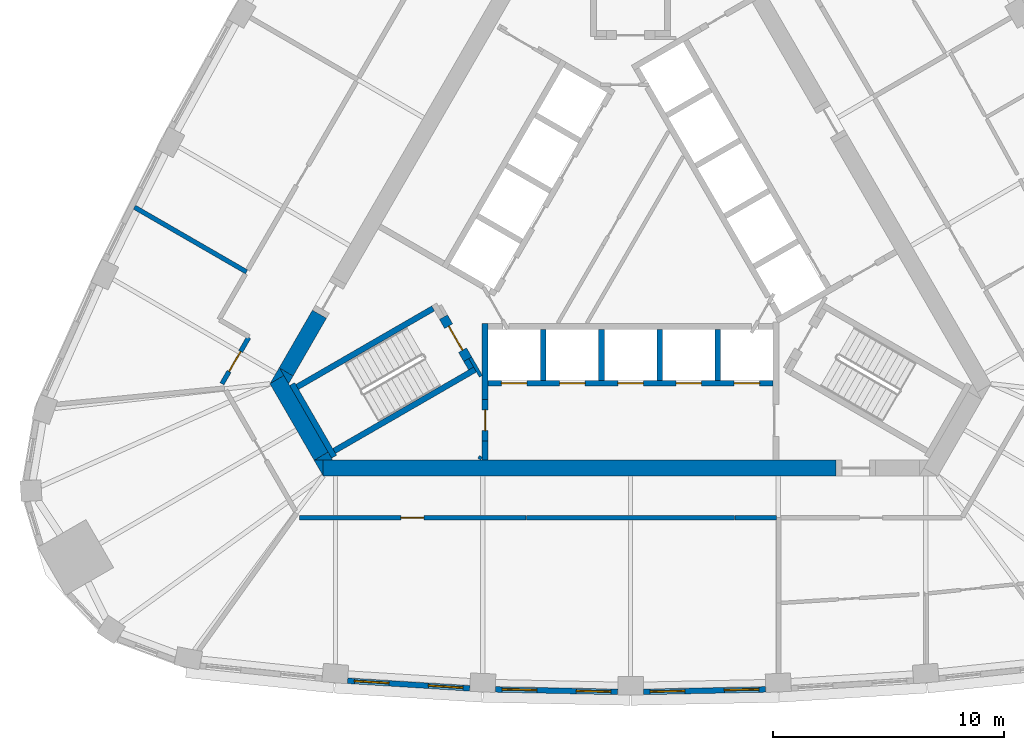
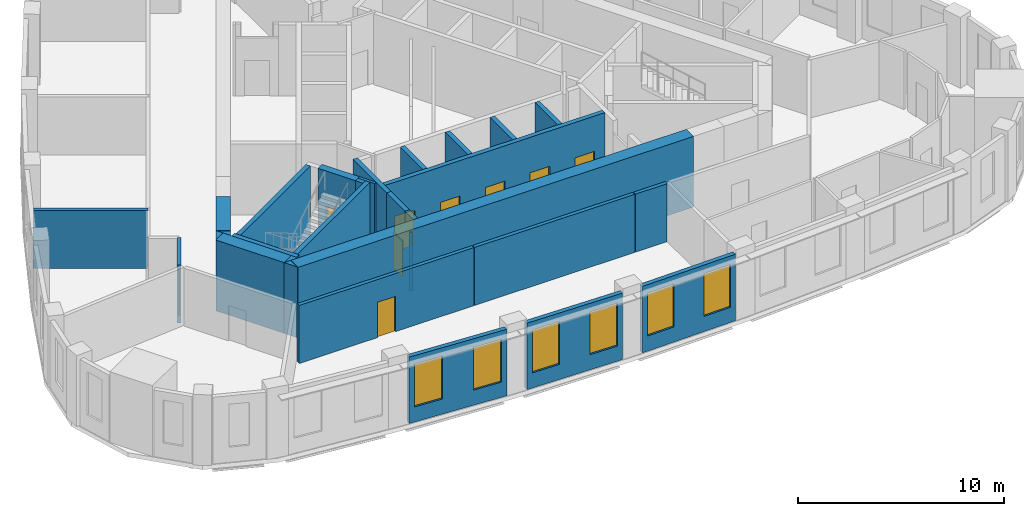
# One storey, part 3 of 10: 30 walls, 9 doors, 6 windows, 15 openings.
"""IFC4 building model written with IfcOpenShell, lengths in metres."""

from ifc_helpers import new_model, si_unit, direction, frame, frame_2d, origin, place, context, subcontext, project, spatial, polyline, rectangle, outline, extrude, material, layer, layer_set, type_object, element, fill, save


model = new_model("IFC4")

# Units and contexts
model_context = context("Model", 3, precision=1e-05, world=origin(), true_north=direction((0.0, 1.0)))
body_context = subcontext(model_context, "Body", "Model", "MODEL_VIEW")
ifc_project = project(units=[si_unit("LENGTHUNIT", "METRE"), si_unit("AREAUNIT", "SQUARE_METRE"), si_unit("VOLUMEUNIT", "CUBIC_METRE"), si_unit("PLANEANGLEUNIT", "RADIAN"), si_unit("MASSUNIT", "GRAM", prefix="KILO")], contexts=[model_context])

# Site, building, storey
site_placement = place(None, origin())
site = spatial("IfcSite", under=ifc_project, at=site_placement, CompositionType="ELEMENT")
building_placement = place(site_placement, origin())
building = spatial("IfcBuilding", under=site, at=building_placement, Name="Mestral Congress Tower", CompositionType="ELEMENT")
storey_placement = place(building_placement, frame((0.0, 0.0, 226.800048828125)))
storey = spatial("IfcBuildingStorey", under=building, at=storey_placement, Name="L53", CompositionType="ELEMENT", Elevation=226.800048828125)

# Walls
ifc_material_1 = material(Name="Fire-rated board partition")
ifc_layer_1 = layer(ifc_material_1, 0.14990234375)
ifc_layer_set_1 = layer_set([ifc_layer_1], Name="Fire-rated board partition")
wall_type_1 = type_object("IfcWallType", Name="Core partition 150", PredefinedType="PARTITIONING", material=ifc_layer_set_1)
wall_1_placement = place(storey_placement, frame((-6.552978515625, -9.6181640625, 0.0), z_axis=(0.0, 0.0, 1.0), x_axis=(0.499915430684, 0.866074224396, 0.0)))
element("IfcWall", 1, at=wall_1_placement, inside=storey, type_object=wall_type_1, Name="L53 core wall", PredefinedType="PARTITIONING", context=body_context, shape_type="SweptSolid", body=[
    extrude(rectangle(XDim=0.14599609375, YDim=0.14990234375, at=frame_2d((0.072998046875, 0.0))), origin(), (0.0, 0.0, 1.0), 3.449951171875),
])
ifc_material_2 = material(Name="Concrete C60/75", Category="concrete")
ifc_layer_2 = layer(ifc_material_2, 0.699951171875)
ifc_layer_set_2 = layer_set([ifc_layer_2], Name="Concrete C60/75")
wall_type_2 = type_object("IfcWallType", Name="Core wall RC 700", PredefinedType="SOLIDWALL", material=ifc_layer_set_2)
wall_2_placement = place(storey_placement, frame((8.904296875, -10.0, 0.0), z_axis=(0.0, 0.0, 1.0), x_axis=(-1.0, 0.0, 0.0)))
element("IfcWall", 2, at=wall_2_placement, inside=storey, type_object=wall_type_2, Name="L53 core wall", PredefinedType="SOLIDWALL", context=body_context, shape_type="SweptSolid", body=[
    extrude(rectangle(XDim=22.226318359375, YDim=0.699951171875, at=frame_2d((11.11328125, 0.0))), origin(), (0.0, 0.0, 1.0), 4.199951171875),
])
placement = place(storey_placement, origin())
element("IfcWall", 3, at=placement, inside=storey, type_object=wall_type_2, Name="L53 core wall", PredefinedType="SOLIDWALL", context=body_context, shape_type="SweptSolid", body=[
    extrude(outline(polyline([(-13.7119140625, -9.64990234375), (-13.323974609375, -9.64990234375), (-13.323974609375, -10.322021484375), (-13.7119140625, -9.64990234375)])), origin(), (0.0, 0.0, 1.0), 4.199951171875),
])
wall_4_placement = place(storey_placement, frame((-13.40185546875, -9.4873046875, 0.0), z_axis=(0.0, 0.0, 1.0), x_axis=(-0.500020498207, 0.866013568815, 0.0)))
element("IfcWall", 4, at=wall_4_placement, inside=storey, type_object=wall_type_2, Name="L53 core wall", PredefinedType="SOLIDWALL", context=body_context, shape_type="SweptSolid", body=[
    extrude(rectangle(XDim=3.828857421875, YDim=0.699951171875, at=frame_2d((1.91455078125, 0.0))), origin(), (0.0, 0.0, 1.0), 4.199951171875),
])
element("IfcWall", 5, at=placement, inside=storey, type_object=wall_type_2, Name="L53 core wall", PredefinedType="SOLIDWALL", context=body_context, shape_type="SweptSolid", body=[
    extrude(outline(polyline([(-15.01416015625, -5.99462890625), (-15.611083984375, -6.33935546875), (-15.213134765625, -5.64990234375), (-15.01416015625, -5.99462890625)])), origin(), (0.0, 0.0, 1.0), 4.199951171875),
])
element("IfcWall", 6, at=placement, inside=storey, type_object=wall_type_2, Name="L53 core wall", PredefinedType="SOLIDWALL", context=body_context, shape_type="SweptSolid", body=[
    extrude(outline(polyline([(-12.90380859375, -9.64990234375), (-13.6796875, -9.64990234375), (-13.097900390625, -9.31396484375), (-12.90380859375, -9.64990234375)])), origin(), (0.0, 0.0, 1.0), 4.199951171875),
])
wall_7_placement = place(storey_placement, frame((-13.47509765625, -3.33935546875, 0.0), z_axis=(0.0, 0.0, 1.0), x_axis=(-0.499944726303, -0.866057313716, 0.0)))
element("IfcWall", 7, at=wall_7_placement, inside=storey, type_object=wall_type_2, Name="L53 core wall", PredefinedType="SOLIDWALL", context=body_context, shape_type="SweptSolid", body=[
    extrude(rectangle(XDim=2.884033203125, YDim=0.699951171875, at=frame_2d((1.44189453125, 0.0))), origin(), (0.0, 0.0, 1.0), 4.199951171875),
])
element("IfcWall", 8, at=placement, inside=storey, type_object=wall_type_2, Name="L53 core wall", PredefinedType="SOLIDWALL", context=body_context, shape_type="SweptSolid", body=[
    extrude(outline(polyline([(-14.80908203125, -6.35009765625), (-15.197021484375, -5.677978515625), (-14.614990234375, -6.013916015625), (-14.80908203125, -6.35009765625)])), origin(), (0.0, 0.0, 1.0), 4.199951171875),
])

# Wall, openings, windows
ifc_material_3 = material(Name="Precast concrete C40/50 with limestone facing", Category="masonry")
ifc_layer_3 = layer(ifc_material_3, 0.239990234375)
ifc_layer_set_3 = layer_set([ifc_layer_3], Name="Precast concrete C40/50 with limestone facing")
wall_type_3 = type_object("IfcWallType", Name="Facade stone wall 240", PredefinedType="SOLIDWALL", material=ifc_layer_set_3)
wall_9_placement = place(storey_placement, frame((-12.253173828125, -19.21337890625, 0.0), z_axis=(0.0, 0.0, 1.0), x_axis=(0.9980633213, -0.062206162685, 0.0)))
wall_9 = element("IfcWall", 9, at=wall_9_placement, inside=storey, type_object=wall_type_3, Name="Facade wall F0-01", PredefinedType="SOLIDWALL", context=body_context, shape_type="SweptSolid", body=[
    extrude(rectangle(XDim=5.29833984375, YDim=0.239990234375, at=frame_2d((2.649169921875, 0.0))), origin(), (0.0, 0.0, 1.0), 3.949951171875),
])
opening_1_placement = place(wall_9_placement, frame((0.29443359375, 0.0, 0.89990234375)))
opening_1 = element("IfcOpeningElement", 10, at=opening_1_placement, cuts=wall_9, Name="Opening W4", PredefinedType="OPENING", context=body_context, shape_type="SweptSolid", body=[
    extrude(rectangle(XDim=1.5, YDim=2.550048828125, at=frame_2d((0.75, 1.27490234375))), frame((0.0, 0.1298828125, 0.0), z_axis=(0.0, -1.0, 0.0), x_axis=(1.0, 0.0, 0.0)), (0.0, 0.0, 1.0), 0.260009765625),
])
opening_2_placement = place(wall_9_placement, frame((3.503662109375, 0.0, 0.89990234375)))
opening_2 = element("IfcOpeningElement", 11, at=opening_2_placement, cuts=wall_9, Name="Opening W4", PredefinedType="OPENING", context=body_context, shape_type="SweptSolid", body=[
    extrude(rectangle(XDim=1.5, YDim=2.550048828125, at=frame_2d((0.75, 1.27490234375))), frame((0.0, 0.1298828125, 0.0), z_axis=(0.0, -1.0, 0.0), x_axis=(1.0, 0.0, 0.0)), (0.0, 0.0, 1.0), 0.260009765625),
])
ifc_material_4 = material(Name="Clear low-emissivity double glazing", Category="glass")
window_type = type_object("IfcWindowType", Name="Facade punched window 1500 x 2550 sill 900", PartitioningType="SINGLE_PANEL", PredefinedType="WINDOW", material=ifc_material_4)
window_1_placement = place(opening_1_placement, origin())
window_1 = element("IfcWindow", 12, at=window_1_placement, inside=storey, type_object=window_type, Name="Window F0-01a", OverallHeight=2.550048828125, OverallWidth=1.5, PartitioningType="SINGLE_PANEL", PredefinedType="WINDOW", context=body_context, shape_type="SweptSolid", body=[
    extrude(rectangle(XDim=1.5, YDim=2.550048828125, at=frame_2d((0.75, 1.27490234375))), frame((0.0, 0.0400390625, 0.0), z_axis=(0.0, -1.0, 0.0), x_axis=(1.0, 0.0, 0.0)), (0.0, 0.0, 1.0), 0.06005859375),
])
fill(opening_1, window_1)
window_2_placement = place(opening_2_placement, origin())
window_2 = element("IfcWindow", 13, at=window_2_placement, inside=storey, type_object=window_type, Name="Window F0-01b", OverallHeight=2.550048828125, OverallWidth=1.5, PartitioningType="SINGLE_PANEL", PredefinedType="WINDOW", context=body_context, shape_type="SweptSolid", body=[
    extrude(rectangle(XDim=1.5, YDim=2.550048828125, at=frame_2d((0.75, 1.27490234375))), frame((0.0, 0.0400390625, 0.0), z_axis=(0.0, -1.0, 0.0), x_axis=(1.0, 0.0, 0.0)), (0.0, 0.0, 1.0), 0.06005859375),
])
fill(opening_2, window_2)

wall_10_placement = place(storey_placement, frame((-5.853515625, -19.589111328125, 0.0), z_axis=(0.0, 0.0, 1.0), x_axis=(0.999784035184, -0.020781794712, 0.0)))
wall_10 = element("IfcWall", 14, at=wall_10_placement, inside=storey, type_object=wall_type_3, Name="Facade wall F0-02", PredefinedType="SOLIDWALL", context=body_context, shape_type="SweptSolid", body=[
    extrude(rectangle(XDim=5.29833984375, YDim=0.239990234375, at=frame_2d((2.649169921875, 0.0))), origin(), (0.0, 0.0, 1.0), 3.949951171875),
])
opening_3_placement = place(wall_10_placement, frame((0.29443359375, 0.0, 0.89990234375)))
opening_3 = element("IfcOpeningElement", 15, at=opening_3_placement, cuts=wall_10, Name="Opening W4", PredefinedType="OPENING", context=body_context, shape_type="SweptSolid", body=[
    extrude(rectangle(XDim=1.5, YDim=2.550048828125, at=frame_2d((0.75, 1.27490234375))), frame((0.0, 0.1298828125, 0.0), z_axis=(0.0, -1.0, 0.0), x_axis=(1.0, 0.0, 0.0)), (0.0, 0.0, 1.0), 0.260009765625),
])
opening_4_placement = place(wall_10_placement, frame((3.503662109375, 0.0, 0.89990234375)))
opening_4 = element("IfcOpeningElement", 16, at=opening_4_placement, cuts=wall_10, Name="Opening W4", PredefinedType="OPENING", context=body_context, shape_type="SweptSolid", body=[
    extrude(rectangle(XDim=1.5, YDim=2.550048828125, at=frame_2d((0.75, 1.27490234375))), frame((0.0, 0.1298828125, 0.0), z_axis=(0.0, -1.0, 0.0), x_axis=(1.0, 0.0, 0.0)), (0.0, 0.0, 1.0), 0.260009765625),
])
window_3_placement = place(opening_3_placement, origin())
window_3 = element("IfcWindow", 17, at=window_3_placement, inside=storey, type_object=window_type, Name="Window F0-02a", OverallHeight=2.550048828125, OverallWidth=1.5, PartitioningType="SINGLE_PANEL", PredefinedType="WINDOW", context=body_context, shape_type="SweptSolid", body=[
    extrude(rectangle(XDim=1.5, YDim=2.550048828125, at=frame_2d((0.75, 1.27490234375))), frame((0.0, 0.0400390625, 0.0), z_axis=(0.0, -1.0, 0.0), x_axis=(1.0, 0.0, 0.0)), (0.0, 0.0, 1.0), 0.06005859375),
])
fill(opening_3, window_3)
window_4_placement = place(opening_4_placement, origin())
window_4 = element("IfcWindow", 18, at=window_4_placement, inside=storey, type_object=window_type, Name="Window F0-02b", OverallHeight=2.550048828125, OverallWidth=1.5, PartitioningType="SINGLE_PANEL", PredefinedType="WINDOW", context=body_context, shape_type="SweptSolid", body=[
    extrude(rectangle(XDim=1.5, YDim=2.550048828125, at=frame_2d((0.75, 1.27490234375))), frame((0.0, 0.0400390625, 0.0), z_axis=(0.0, -1.0, 0.0), x_axis=(1.0, 0.0, 0.0)), (0.0, 0.0, 1.0), 0.06005859375),
])
fill(opening_4, window_4)

wall_11_placement = place(storey_placement, frame((0.556396484375, -19.69921875, 0.0), z_axis=(0.0, 0.0, 1.0), x_axis=(0.999784035184, 0.020781794712, 0.0)))
wall_11 = element("IfcWall", 19, at=wall_11_placement, inside=storey, type_object=wall_type_3, Name="Facade wall F0-03", PredefinedType="SOLIDWALL", context=body_context, shape_type="SweptSolid", body=[
    extrude(rectangle(XDim=5.29833984375, YDim=0.239990234375, at=frame_2d((2.649169921875, 0.0))), origin(), (0.0, 0.0, 1.0), 3.949951171875),
])
opening_5_placement = place(wall_11_placement, frame((0.29443359375, 0.0, 0.89990234375)))
opening_5 = element("IfcOpeningElement", 20, at=opening_5_placement, cuts=wall_11, Name="Opening W4", PredefinedType="OPENING", context=body_context, shape_type="SweptSolid", body=[
    extrude(rectangle(XDim=1.5, YDim=2.550048828125, at=frame_2d((0.75, 1.27490234375))), frame((0.0, 0.1298828125, 0.0), z_axis=(0.0, -1.0, 0.0), x_axis=(1.0, 0.0, 0.0)), (0.0, 0.0, 1.0), 0.260009765625),
])
opening_6_placement = place(wall_11_placement, frame((3.503662109375, 0.0, 0.89990234375)))
opening_6 = element("IfcOpeningElement", 21, at=opening_6_placement, cuts=wall_11, Name="Opening W4", PredefinedType="OPENING", context=body_context, shape_type="SweptSolid", body=[
    extrude(rectangle(XDim=1.5, YDim=2.550048828125, at=frame_2d((0.75, 1.27490234375))), frame((0.0, 0.1298828125, 0.0), z_axis=(0.0, -1.0, 0.0), x_axis=(1.0, 0.0, 0.0)), (0.0, 0.0, 1.0), 0.260009765625),
])
window_5_placement = place(opening_5_placement, origin())
window_5 = element("IfcWindow", 22, at=window_5_placement, inside=storey, type_object=window_type, Name="Window F0-03a", OverallHeight=2.550048828125, OverallWidth=1.5, PartitioningType="SINGLE_PANEL", PredefinedType="WINDOW", context=body_context, shape_type="SweptSolid", body=[
    extrude(rectangle(XDim=1.5, YDim=2.550048828125, at=frame_2d((0.75, 1.27490234375))), frame((0.0, 0.0400390625, 0.0), z_axis=(0.0, -1.0, 0.0), x_axis=(1.0, 0.0, 0.0)), (0.0, 0.0, 1.0), 0.06005859375),
])
fill(opening_5, window_5)
window_6_placement = place(opening_6_placement, origin())
window_6 = element("IfcWindow", 23, at=window_6_placement, inside=storey, type_object=window_type, Name="Window F0-03b", OverallHeight=2.550048828125, OverallWidth=1.5, PartitioningType="SINGLE_PANEL", PredefinedType="WINDOW", context=body_context, shape_type="SweptSolid", body=[
    extrude(rectangle(XDim=1.5, YDim=2.550048828125, at=frame_2d((0.75, 1.27490234375))), frame((0.0, 0.0400390625, 0.0), z_axis=(0.0, -1.0, 0.0), x_axis=(1.0, 0.0, 0.0)), (0.0, 0.0, 1.0), 0.06005859375),
])
fill(opening_6, window_6)

# Wall
ifc_material_5 = material(Name="Dense masonry wall, plastered", Category="masonry")
ifc_layer_4 = layer(ifc_material_5, 0.199951171875)
ifc_layer_set_4 = layer_set([ifc_layer_4], Name="Dense masonry wall, plastered")
wall_type_4 = type_object("IfcWallType", Name="Office tenancy wall 200", PredefinedType="PARTITIONING", material=ifc_layer_set_4)
wall_12_placement = place(storey_placement, frame((-16.631103515625, -1.505859375, 0.0), z_axis=(0.0, 0.0, 1.0), x_axis=(-0.866045655253, 0.499964921787, 0.0)))
element("IfcWall", 24, at=wall_12_placement, inside=storey, type_object=wall_type_4, Name="Tenancy wall", PredefinedType="PARTITIONING", context=body_context, shape_type="SweptSolid", body=[
    extrude(rectangle(XDim=5.607421875, YDim=0.199951171875, at=frame_2d((2.8037109375, 0.0))), origin(), (0.0, 0.0, 1.0), 3.449951171875),
])

# Wall, opening, door
wall_13_placement = place(storey_placement, frame((-16.537109375, -4.34326171875, 0.0), z_axis=(0.0, 0.0, 1.0), x_axis=(-0.500014285048, -0.866017156151, 0.0)))
wall_13 = element("IfcWall", 25, at=wall_13_placement, inside=storey, type_object=wall_type_4, Name="Tenancy wall", PredefinedType="PARTITIONING", context=body_context, shape_type="SweptSolid", body=[
    extrude(rectangle(XDim=2.3173828125, YDim=0.199951171875, at=frame_2d((1.15869140625, 0.0))), origin(), (0.0, 0.0, 1.0), 3.449951171875),
])
opening_7_placement = place(wall_13_placement, frame((0.699951171875, 0.0, 0.0)))
opening_7 = element("IfcOpeningElement", 26, at=opening_7_placement, cuts=wall_13, Name="Opening O08-004", PredefinedType="OPENING", context=body_context, shape_type="SweptSolid", body=[
    extrude(rectangle(XDim=1.0, YDim=2.10009765625, at=frame_2d((0.5, 1.050048828125))), frame((0.0, 0.10986328125, 0.0), z_axis=(0.0, -1.0, 0.0), x_axis=(1.0, 0.0, 0.0)), (0.0, 0.0, 1.0), 0.219970703125),
])
ifc_material_6 = material(Name="Fire-rated timber door set", Category="wood")
door_type_1 = type_object("IfcDoorType", Name="Office tenancy entrance door 1000x2100", OperationType="SINGLE_SWING_LEFT", PredefinedType="DOOR", material=ifc_material_6)
door_1_placement = place(opening_7_placement, origin())
door_1 = element("IfcDoor", 27, at=door_1_placement, inside=storey, type_object=door_type_1, Name="Door O08-004", OperationType="SINGLE_SWING_RIGHT", OverallHeight=2.10009765625, OverallWidth=1.0, PredefinedType="DOOR", context=body_context, shape_type="SweptSolid", body=[
    extrude(rectangle(XDim=1.0, YDim=2.10009765625, at=frame_2d((0.5, 1.050048828125))), frame((0.0, 0.02490234375, 0.0), z_axis=(0.0, -1.0, 0.0), x_axis=(1.0, 0.0, 0.0)), (0.0, 0.0, 1.0), 0.050048828125),
])
fill(opening_7, door_1)

# Wall
wall_14_placement = place(storey_placement, frame((-4.5, -12.14990234375, 0.0), z_axis=(0.0, 0.0, 1.0), x_axis=(1.0, 0.0, 0.0)))
element("IfcWall", 28, at=wall_14_placement, inside=storey, type_object=wall_type_4, Name="Tenancy wall", PredefinedType="PARTITIONING", context=body_context, shape_type="SweptSolid", body=[
    extrude(rectangle(XDim=9.0, YDim=0.199951171875, at=frame_2d((4.5, 0.0))), origin(), (0.0, 0.0, 1.0), 3.449951171875),
])

# Wall, opening, door
wall_15_placement = place(storey_placement, frame((-14.34716796875, -12.14990234375, 0.0), z_axis=(0.0, 0.0, 1.0), x_axis=(1.0, 0.0, 0.0)))
wall_15 = element("IfcWall", 29, at=wall_15_placement, inside=storey, type_object=wall_type_4, Name="Tenancy wall", PredefinedType="PARTITIONING", context=body_context, shape_type="SweptSolid", body=[
    extrude(rectangle(XDim=9.817138671875, YDim=0.199951171875, at=frame_2d((4.90869140625, 0.0))), origin(), (0.0, 0.0, 1.0), 3.449951171875),
])
opening_8_placement = place(wall_15_placement, frame((4.39990234375, 0.0, 0.0)))
opening_8 = element("IfcOpeningElement", 30, at=opening_8_placement, cuts=wall_15, Name="Opening O08-006", PredefinedType="OPENING", context=body_context, shape_type="SweptSolid", body=[
    extrude(rectangle(XDim=1.0, YDim=2.10009765625, at=frame_2d((0.5, 1.050048828125))), frame((0.0, 0.10986328125, 0.0), z_axis=(0.0, -1.0, 0.0), x_axis=(1.0, 0.0, 0.0)), (0.0, 0.0, 1.0), 0.219970703125),
])
door_2_placement = place(opening_8_placement, origin())
door_2 = element("IfcDoor", 31, at=door_2_placement, inside=storey, type_object=door_type_1, Name="Door O08-006", OperationType="SINGLE_SWING_LEFT", OverallHeight=2.10009765625, OverallWidth=1.0, PredefinedType="DOOR", context=body_context, shape_type="SweptSolid", body=[
    extrude(rectangle(XDim=1.0, YDim=2.10009765625, at=frame_2d((0.5, 1.050048828125))), frame((0.0, 0.02490234375, 0.0), z_axis=(0.0, -1.0, 0.0), x_axis=(1.0, 0.0, 0.0)), (0.0, 0.0, 1.0), 0.050048828125),
])
fill(opening_8, door_2)

# Walls
wall_16_placement = place(storey_placement, frame((4.530029296875, -12.14990234375, 0.0), z_axis=(0.0, 0.0, 1.0), x_axis=(1.0, 0.0, 0.0)))
element("IfcWall", 32, at=wall_16_placement, inside=storey, type_object=wall_type_4, Name="Tenancy wall", PredefinedType="PARTITIONING", context=body_context, shape_type="SweptSolid", body=[
    extrude(rectangle(XDim=1.786865234375, YDim=0.199951171875, at=frame_2d((0.8935546875, 0.0))), origin(), (0.0, 0.0, 1.0), 3.449951171875),
])
ifc_layer_5 = layer(ifc_material_2, 0.25)
ifc_layer_set_5 = layer_set([ifc_layer_5], Name="Concrete C60/75")
wall_type_5 = type_object("IfcWallType", Name="Shaft wall RC 250", PredefinedType="SOLIDWALL", material=ifc_layer_set_5)
wall_17_placement = place(storey_placement, frame((-6.300048828125, -9.64990234375, 0.0), z_axis=(0.0, 0.0, 1.0), x_axis=(0.0, 1.0, 0.0)))
element("IfcWall", 33, at=wall_17_placement, inside=storey, type_object=wall_type_5, Name="L53 core wall", PredefinedType="SOLIDWALL", context=body_context, shape_type="SweptSolid", body=[
    extrude(rectangle(XDim=0.816162109375, YDim=0.25, at=frame_2d((0.408203125, 0.0))), origin(), (0.0, 0.0, 1.0), 4.199951171875),
])
for number, where, z_axis, x_axis, name in (
    (34, (3.780029296875, -4.0, 0.0), (0.0, 0.0, 1.0), (0.0, -1.0, 0.0), "L53 core wall"),
    (35, (1.260009765625, -4.0, 0.0), (0.0, 0.0, 1.0), (0.0, -1.0, 0.0), "L53 core wall"),
    (36, (-1.260009765625, -4.0, 0.0), (0.0, 0.0, 1.0), (0.0, -1.0, 0.0), "L53 core wall"),
    (37, (-3.780029296875, -4.0, 0.0), (0.0, 0.0, 1.0), (0.0, -1.0, 0.0), "L53 core wall"),
):
    element("IfcWall", number, at=place(storey_placement, frame(where, z_axis=z_axis, x_axis=x_axis)), inside=storey, type_object=wall_type_5, Name=name, PredefinedType="SOLIDWALL", context=body_context, shape_type="SweptSolid", body=[
        extrude(rectangle(XDim=2.199951171875, YDim=0.25, at=frame_2d((1.10009765625, 0.0))), origin(), (0.0, 0.0, 1.0), 4.199951171875),
    ])
wall_18_placement = place(storey_placement, frame((-6.300048828125, -7.033447265625, 0.0), z_axis=(0.0, 0.0, 1.0), x_axis=(0.0, 1.0, 0.0)))
element("IfcWall", 38, at=wall_18_placement, inside=storey, type_object=wall_type_5, Name="L53 core wall", PredefinedType="SOLIDWALL", context=body_context, shape_type="SweptSolid", body=[
    extrude(rectangle(XDim=3.283447265625, YDim=0.25, at=frame_2d((1.6416015625, 0.0))), origin(), (0.0, 0.0, 1.0), 4.199951171875),
])

# Wall, openings, doors
wall_19_placement = place(storey_placement, frame((-6.175048828125, -6.324951171875, 0.0), z_axis=(0.0, 0.0, 1.0), x_axis=(1.0, 0.0, 0.0)))
wall_19 = element("IfcWall", 39, at=wall_19_placement, inside=storey, type_object=wall_type_5, Name="L53 door wall", PredefinedType="SOLIDWALL", context=body_context, shape_type="SweptSolid", body=[
    extrude(rectangle(XDim=12.35009765625, YDim=0.25, at=frame_2d((6.175048828125, 0.0))), origin(), (0.0, 0.0, 1.0), 4.199951171875),
])
opening_9_placement = place(wall_19_placement, frame((0.5849609375, 0.0, 0.0)))
opening_9 = element("IfcOpeningElement", 40, at=opening_9_placement, cuts=wall_19, Name="Opening LD-SOB1", PredefinedType="OPENING", context=body_context, shape_type="SweptSolid", body=[
    extrude(rectangle(XDim=1.10009765625, YDim=2.10009765625, at=frame_2d((0.550048828125, 1.050048828125))), frame((0.0, 0.135009765625, 0.0), z_axis=(0.0, -1.0, 0.0), x_axis=(1.0, 0.0, 0.0)), (0.0, 0.0, 1.0), 0.27001953125),
])
opening_10_placement = place(wall_19_placement, frame((3.10498046875, 0.0, 0.0)))
opening_10 = element("IfcOpeningElement", 41, at=opening_10_placement, cuts=wall_19, Name="Opening LD-SOB2", PredefinedType="OPENING", context=body_context, shape_type="SweptSolid", body=[
    extrude(rectangle(XDim=1.10009765625, YDim=2.10009765625, at=frame_2d((0.550048828125, 1.050048828125))), frame((0.0, 0.135009765625, 0.0), z_axis=(0.0, -1.0, 0.0), x_axis=(1.0, 0.0, 0.0)), (0.0, 0.0, 1.0), 0.27001953125),
])
opening_11_placement = place(wall_19_placement, frame((5.625, 0.0, 0.0)))
opening_11 = element("IfcOpeningElement", 42, at=opening_11_placement, cuts=wall_19, Name="Opening LD-SOB3", PredefinedType="OPENING", context=body_context, shape_type="SweptSolid", body=[
    extrude(rectangle(XDim=1.10009765625, YDim=2.10009765625, at=frame_2d((0.550048828125, 1.050048828125))), frame((0.0, 0.135009765625, 0.0), z_axis=(0.0, -1.0, 0.0), x_axis=(1.0, 0.0, 0.0)), (0.0, 0.0, 1.0), 0.27001953125),
])
opening_12_placement = place(wall_19_placement, frame((8.14501953125, 0.0, 0.0)))
opening_12 = element("IfcOpeningElement", 43, at=opening_12_placement, cuts=wall_19, Name="Opening LD-SOB4", PredefinedType="OPENING", context=body_context, shape_type="SweptSolid", body=[
    extrude(rectangle(XDim=1.10009765625, YDim=2.10009765625, at=frame_2d((0.550048828125, 1.050048828125))), frame((0.0, 0.135009765625, 0.0), z_axis=(0.0, -1.0, 0.0), x_axis=(1.0, 0.0, 0.0)), (0.0, 0.0, 1.0), 0.27001953125),
])
opening_13_placement = place(wall_19_placement, frame((10.6650390625, 0.0, 0.0)))
opening_13 = element("IfcOpeningElement", 44, at=opening_13_placement, cuts=wall_19, Name="Opening LD-SOB5", PredefinedType="OPENING", context=body_context, shape_type="SweptSolid", body=[
    extrude(rectangle(XDim=1.10009765625, YDim=2.10009765625, at=frame_2d((0.550048828125, 1.050048828125))), frame((0.0, 0.135009765625, 0.0), z_axis=(0.0, -1.0, 0.0), x_axis=(1.0, 0.0, 0.0)), (0.0, 0.0, 1.0), 0.27001953125),
])
ifc_material_7 = material(Name="Fire-rated steel door set", Category="steel")
door_type_2 = type_object("IfcDoorType", Name="Core door LD 1100x2100", OperationType="DOUBLE_DOOR_SLIDING", PredefinedType="DOOR", material=ifc_material_7)
door_3_placement = place(opening_9_placement, origin())
door_3 = element("IfcDoor", 45, at=door_3_placement, inside=storey, type_object=door_type_2, Name="Door LD-SOB1", OperationType="DOUBLE_DOOR_SLIDING", OverallHeight=2.10009765625, OverallWidth=1.10009765625, PredefinedType="DOOR", context=body_context, shape_type="SweptSolid", body=[
    extrude(rectangle(XDim=1.10009765625, YDim=2.10009765625, at=frame_2d((0.550048828125, 1.050048828125))), frame((0.0, 0.02490234375, 0.0), z_axis=(0.0, -1.0, 0.0), x_axis=(1.0, 0.0, 0.0)), (0.0, 0.0, 1.0), 0.050048828125),
])
fill(opening_9, door_3)
door_4_placement = place(opening_10_placement, origin())
door_4 = element("IfcDoor", 46, at=door_4_placement, inside=storey, type_object=door_type_2, Name="Door LD-SOB2", OperationType="DOUBLE_DOOR_SLIDING", OverallHeight=2.10009765625, OverallWidth=1.10009765625, PredefinedType="DOOR", context=body_context, shape_type="SweptSolid", body=[
    extrude(rectangle(XDim=1.10009765625, YDim=2.10009765625, at=frame_2d((0.550048828125, 1.050048828125))), frame((0.0, 0.02490234375, 0.0), z_axis=(0.0, -1.0, 0.0), x_axis=(1.0, 0.0, 0.0)), (0.0, 0.0, 1.0), 0.050048828125),
])
fill(opening_10, door_4)
door_5_placement = place(opening_11_placement, origin())
door_5 = element("IfcDoor", 47, at=door_5_placement, inside=storey, type_object=door_type_2, Name="Door LD-SOB3", OperationType="DOUBLE_DOOR_SLIDING", OverallHeight=2.10009765625, OverallWidth=1.10009765625, PredefinedType="DOOR", context=body_context, shape_type="SweptSolid", body=[
    extrude(rectangle(XDim=1.10009765625, YDim=2.10009765625, at=frame_2d((0.550048828125, 1.050048828125))), frame((0.0, 0.02490234375, 0.0), z_axis=(0.0, -1.0, 0.0), x_axis=(1.0, 0.0, 0.0)), (0.0, 0.0, 1.0), 0.050048828125),
])
fill(opening_11, door_5)
door_6_placement = place(opening_12_placement, origin())
door_6 = element("IfcDoor", 48, at=door_6_placement, inside=storey, type_object=door_type_2, Name="Door LD-SOB4", OperationType="DOUBLE_DOOR_SLIDING", OverallHeight=2.10009765625, OverallWidth=1.10009765625, PredefinedType="DOOR", context=body_context, shape_type="SweptSolid", body=[
    extrude(rectangle(XDim=1.10009765625, YDim=2.10009765625, at=frame_2d((0.550048828125, 1.050048828125))), frame((0.0, 0.02490234375, 0.0), z_axis=(0.0, -1.0, 0.0), x_axis=(1.0, 0.0, 0.0)), (0.0, 0.0, 1.0), 0.050048828125),
])
fill(opening_12, door_6)
door_7_placement = place(opening_13_placement, origin())
door_7 = element("IfcDoor", 49, at=door_7_placement, inside=storey, type_object=door_type_2, Name="Door LD-SOB5", OperationType="DOUBLE_DOOR_SLIDING", OverallHeight=2.10009765625, OverallWidth=1.10009765625, PredefinedType="DOOR", context=body_context, shape_type="SweptSolid", body=[
    extrude(rectangle(XDim=1.10009765625, YDim=2.10009765625, at=frame_2d((0.550048828125, 1.050048828125))), frame((0.0, 0.02490234375, 0.0), z_axis=(0.0, -1.0, 0.0), x_axis=(1.0, 0.0, 0.0)), (0.0, 0.0, 1.0), 0.050048828125),
])
fill(opening_13, door_7)

# Wall, opening, door
wall_20_placement = place(storey_placement, frame((-6.300048828125, -7.03369140625, 0.0), z_axis=(0.0, 0.0, 1.0), x_axis=(0.0, -1.0, 0.0)))
wall_20 = element("IfcWall", 50, at=wall_20_placement, inside=storey, type_object=wall_type_5, Name="L53 door wall", PredefinedType="SOLIDWALL", context=body_context, shape_type="SweptSolid", body=[
    extrude(rectangle(XDim=1.7998046875, YDim=0.25, at=frame_2d((0.89990234375, 0.0))), origin(), (0.0, 0.0, 1.0), 4.199951171875),
])
opening_14_placement = place(wall_20_placement, frame((0.449951171875, 0.0, 0.0)))
opening_14 = element("IfcOpeningElement", 51, at=opening_14_placement, cuts=wall_20, Name="Opening TD3", PredefinedType="OPENING", context=body_context, shape_type="SweptSolid", body=[
    extrude(rectangle(XDim=0.89990234375, YDim=2.10009765625, at=frame_2d((0.449951171875, 1.050048828125))), frame((0.0, 0.135009765625, 0.0), z_axis=(0.0, -1.0, 0.0), x_axis=(1.0, 0.0, 0.0)), (0.0, 0.0, 1.0), 0.27001953125),
])
door_type_3 = type_object("IfcDoorType", Name="Core door SR 900x2100", OperationType="SINGLE_SWING_LEFT", PredefinedType="DOOR", material=ifc_material_7)
door_8_placement = place(opening_14_placement, origin())
door_8 = element("IfcDoor", 52, at=door_8_placement, inside=storey, type_object=door_type_3, Name="Door TD3", OperationType="SINGLE_SWING_LEFT", OverallHeight=2.10009765625, OverallWidth=0.89990234375, PredefinedType="DOOR", context=body_context, shape_type="SweptSolid", body=[
    extrude(rectangle(XDim=0.89990234375, YDim=2.10009765625, at=frame_2d((0.449951171875, 1.050048828125))), frame((0.0, 0.02490234375, 0.0), z_axis=(0.0, -1.0, 0.0), x_axis=(1.0, 0.0, 0.0)), (0.0, 0.0, 1.0), 0.050048828125),
])
fill(opening_14, door_8)

# Walls
ifc_layer_6 = layer(ifc_material_2, 0.14990234375)
ifc_layer_set_6 = layer_set([ifc_layer_6], Name="Concrete C60/75")
wall_type_6 = type_object("IfcWallType", Name="Shaft wall RC 250 door-wall 150", PredefinedType="SOLIDWALL", material=ifc_layer_set_6)
wall_21_placement = place(storey_placement, frame((-6.48046875, -6.026611328125, 0.0), z_axis=(0.0, 0.0, 1.0), x_axis=(-0.499927229454, 0.866067413802, 0.0)))
element("IfcWall", 53, at=wall_21_placement, inside=storey, type_object=wall_type_6, Name="L53 core wall", PredefinedType="PARTITIONING", context=body_context, shape_type="SweptSolid", body=[
    extrude(rectangle(XDim=0.928955078125, YDim=0.14990234375, at=frame_2d((0.46435546875, 0.0))), origin(), (0.0, 0.0, 1.0), 4.199951171875),
])
ifc_layer_7 = layer(ifc_material_2, 0.25)
ifc_layer_set_7 = layer_set([ifc_layer_7], Name="Concrete C60/75")
wall_type_7 = type_object("IfcWallType", Name="Stair wall RC 250", PredefinedType="SOLIDWALL", material=ifc_layer_set_7)
wall_22_placement = place(storey_placement, frame((-12.839599609375, -9.510986328125, 0.0), z_axis=(0.0, 0.0, 1.0), x_axis=(-0.499997733992, 0.866026712061, 0.0)))
element("IfcWall", 54, at=wall_22_placement, inside=storey, type_object=wall_type_7, Name="L53 core wall", PredefinedType="SOLIDWALL", context=body_context, shape_type="SweptSolid", body=[
    extrude(rectangle(XDim=3.6337890625, YDim=0.25, at=frame_2d((1.81689453125, 0.0))), origin(), (0.0, 0.0, 1.0), 4.199951171875),
])
wall_23_placement = place(storey_placement, frame((-14.43994140625, -6.489501953125, 0.0), z_axis=(0.0, 0.0, 1.0), x_axis=(0.866022966069, 0.500004222222, 0.0)))
element("IfcWall", 55, at=wall_23_placement, inside=storey, type_object=wall_type_7, Name="L53 core wall", PredefinedType="SOLIDWALL", context=body_context, shape_type="SweptSolid", body=[
    extrude(rectangle(XDim=6.80029296875, YDim=0.25, at=frame_2d((3.400146484375, 0.0))), origin(), (0.0, 0.0, 1.0), 4.199951171875),
])
wall_24_placement = place(storey_placement, frame((-12.83984375, -9.2607421875, 0.0), z_axis=(0.0, 0.0, 1.0), x_axis=(0.866016039709, 0.500016218704, 0.0)))
element("IfcWall", 56, at=wall_24_placement, inside=storey, type_object=wall_type_7, Name="L53 core wall", PredefinedType="SOLIDWALL", context=body_context, shape_type="SweptSolid", body=[
    extrude(rectangle(XDim=7.050048828125, YDim=0.25, at=frame_2d((3.52490234375, 0.0))), origin(), (0.0, 0.0, 1.0), 4.199951171875),
])
wall_25_placement = place(storey_placement, frame((-6.905029296875, -5.68994140625, 0.0), z_axis=(0.0, 0.0, 1.0), x_axis=(-0.500402024738, 0.865793170242, 0.0)))
element("IfcWall", 57, at=wall_25_placement, inside=storey, type_object=wall_type_7, Name="L53 core wall", PredefinedType="SOLIDWALL", context=body_context, shape_type="SweptSolid", body=[
    extrude(rectangle(XDim=0.425048828125, YDim=0.25, at=frame_2d((0.21240234375, 0.0))), origin(), (0.0, 0.0, 1.0), 4.199951171875),
])

# Wall, opening, door
ifc_layer_8 = layer(ifc_material_2, 0.39990234375)
ifc_layer_set_8 = layer_set([ifc_layer_8], Name="Concrete C60/75")
wall_type_8 = type_object("IfcWallType", Name="Stair wall RC 250 door-wall 400", PredefinedType="SOLIDWALL", material=ifc_layer_set_8)
wall_26_placement = place(storey_placement, frame((-8.102783203125, -3.4658203125, 0.0), z_axis=(0.0, 0.0, 1.0), x_axis=(0.500078061341, -0.865980330357, 0.0)))
wall_26 = element("IfcWall", 58, at=wall_26_placement, inside=storey, type_object=wall_type_8, Name="L53 door wall", PredefinedType="SOLIDWALL", context=body_context, shape_type="SweptSolid", body=[
    extrude(rectangle(XDim=2.099853515625, YDim=0.39990234375, at=frame_2d((1.0498046875, 0.0))), origin(), (0.0, 0.0, 1.0), 4.199951171875),
])
opening_15_placement = place(wall_26_placement, frame((0.449951171875, 0.0, 0.0)))
opening_15 = element("IfcOpeningElement", 59, at=opening_15_placement, cuts=wall_26, Name="Opening ST-D3", PredefinedType="OPENING", context=body_context, shape_type="SweptSolid", body=[
    extrude(rectangle(XDim=1.199951171875, YDim=2.10009765625, at=frame_2d((0.60009765625, 1.050048828125))), frame((0.0, 0.2099609375, 0.0), z_axis=(0.0, -1.0, 0.0), x_axis=(1.0, 0.0, 0.0)), (0.0, 0.0, 1.0), 0.419921875),
])
door_type_4 = type_object("IfcDoorType", Name="Core door ST 1200x2100", OperationType="SINGLE_SWING_LEFT", PredefinedType="DOOR", material=ifc_material_7)
door_9_placement = place(opening_15_placement, origin())
door_9 = element("IfcDoor", 60, at=door_9_placement, inside=storey, type_object=door_type_4, Name="Door ST-D3", OperationType="SINGLE_SWING_LEFT", OverallHeight=2.10009765625, OverallWidth=1.199951171875, PredefinedType="DOOR", context=body_context, shape_type="SweptSolid", body=[
    extrude(rectangle(XDim=1.199951171875, YDim=2.10009765625, at=frame_2d((0.60009765625, 1.050048828125))), frame((0.0, 0.02490234375, 0.0), z_axis=(0.0, -1.0, 0.0), x_axis=(1.0, 0.0, 0.0)), (0.0, 0.0, 1.0), 0.050048828125),
])
fill(opening_15, door_9)

save(model, "model.ifc")
